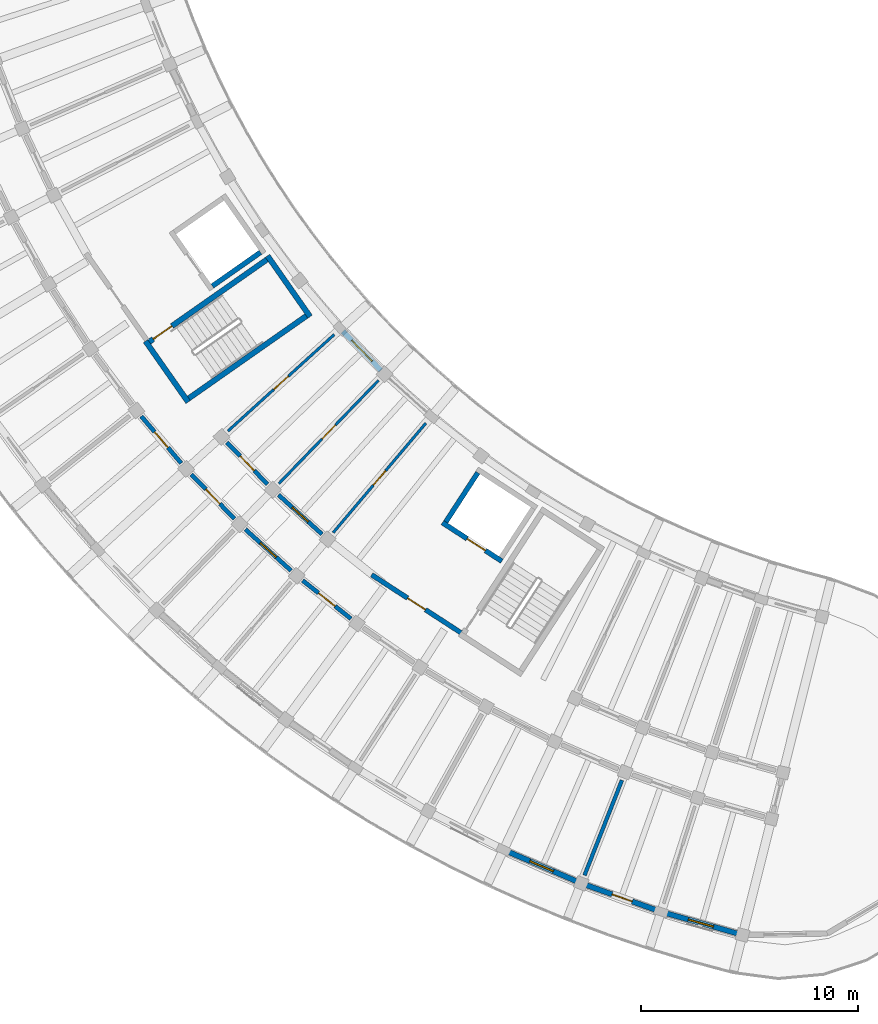
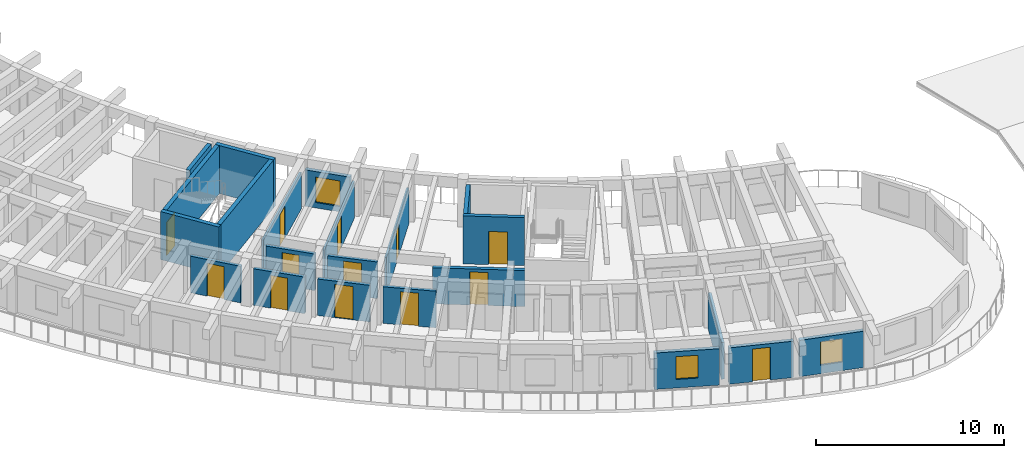
# One storey, part 41 of 81: 22 walls, 13 doors, 3 windows, 16 openings.
"""IFC4 building model written with IfcOpenShell, lengths in metres."""

import ifcopenshell
import ifcopenshell.guid

model = None  # the IFC model being written
_history = None  # IfcOwnerHistory: only IFC2X3 demands one
_inside = {}  # id of a spatial element -> (the spatial element, [elements in it])
_under = {}  # id of a project, library or spatial element -> (it, [spatial elements below it])
_declared = {}  # id of a project -> (the project, [libraries it declares])
_typed = {}  # id of a type object -> (the type object, [elements of that type])
_made_of = {}  # id of a material, layer set ... -> (it, [elements and type objects made of it])


def new_model(schema):
    """Start an empty IFC model of exactly this schema.

    Asked for "IFC4X3", IfcOpenShell would pick the latest addendum, in which some entities
    have other attributes; the version numbers below select the first issue.
    IFC2X3 requires an IfcOwnerHistory on every rooted entity: one is made here for all.
    """
    global model, _history
    if schema == "IFC4X3":
        model = ifcopenshell.file(schema_version=(4, 3, 0, 0))
    else:
        model = ifcopenshell.file(schema=schema)
    _inside.clear()
    _under.clear()
    _declared.clear()
    _typed.clear()
    _made_of.clear()
    _history = None
    if model.schema == "IFC2X3":
        org = make("IfcOrganization", Name="unknown")
        user = make(
            "IfcPersonAndOrganization",
            ThePerson=make("IfcPerson", FamilyName="unknown"),
            TheOrganization=org,
        )
        app = make(
            "IfcApplication",
            ApplicationDeveloper=org,
            Version="unknown",
            ApplicationFullName="unknown",
            ApplicationIdentifier="unknown",
        )
        _history = make(
            "IfcOwnerHistory",
            OwningUser=user,
            OwningApplication=app,
            ChangeAction="ADDED",
            CreationDate=0,
        )
    return model


def make(cls, **values):
    """One entity of the class cls with the attributes given. An attribute that is None is left unset."""
    return model.create_entity(
        cls, **{name: value for name, value in values.items() if value is not None}
    )


def rooted(cls, **values):
    """An entity with a GlobalId (a new one), such as an element, a storey or a relation."""
    return make(cls, GlobalId=ifcopenshell.guid.new(), OwnerHistory=_history, **values)


def si_unit(unit_type, name, prefix=None):
    """IfcSIUnit, for example si_unit("LENGTHUNIT", "METRE", prefix="MILLI")."""
    return make("IfcSIUnit", UnitType=unit_type, Prefix=prefix, Name=name)


def assignment(units):
    """IfcUnitAssignment: the units of a project."""
    return None if units is None else make("IfcUnitAssignment", Units=units)


def point(xyz):
    """IfcCartesianPoint."""
    return None if xyz is None else make("IfcCartesianPoint", Coordinates=xyz)


def direction(xyz):
    """IfcDirection."""
    return None if xyz is None else make("IfcDirection", DirectionRatios=xyz)


def frame(location, z_axis=None, x_axis=None):
    """IfcAxis2Placement3D, a coordinate frame: its origin and axes. An axis left out is left unset."""
    return make(
        "IfcAxis2Placement3D",
        Location=point(location),
        Axis=direction(z_axis),
        RefDirection=direction(x_axis),
    )


def frame_2d(location, x_axis=None):
    """IfcAxis2Placement2D, a coordinate frame in the plane: its origin and x axis."""
    return make(
        "IfcAxis2Placement2D", Location=point(location), RefDirection=direction(x_axis)
    )


def origin():
    """The frame at (0, 0, 0) with its axes left unset."""
    return frame((0.0, 0.0, 0.0))


def place(relative_to, where):
    """IfcLocalPlacement: puts the frame where relative to a parent placement (None: the world)."""
    return make(
        "IfcLocalPlacement", PlacementRelTo=relative_to, RelativePlacement=where
    )


def context(
    kind, dimensions, precision=None, world=None, true_north=None, identifier=None
):
    """IfcGeometricRepresentationContext, for example the 3D "Model" context."""
    return make(
        "IfcGeometricRepresentationContext",
        ContextIdentifier=identifier,
        ContextType=kind,
        CoordinateSpaceDimension=dimensions,
        Precision=precision,
        WorldCoordinateSystem=world,
        TrueNorth=true_north,
    )


def subcontext(parent, identifier, kind, view, scale=None):
    """IfcGeometricRepresentationSubContext, for example "Body" below "Model"."""
    return make(
        "IfcGeometricRepresentationSubContext",
        ContextIdentifier=identifier,
        ContextType=kind,
        ParentContext=parent,
        TargetScale=scale,
        TargetView=view,
    )


def project(units=None, contexts=None):
    """IfcProject with its units and contexts."""
    return rooted(
        "IfcProject",
        Name="project",
        RepresentationContexts=contexts,
        UnitsInContext=assignment(units),
    )


def spatial(cls, under=None, at=None, **own):
    """A site, building, storey or space (cls), placed at a placement, below another one or the project."""
    s = rooted(cls, ObjectPlacement=at, **own)
    if under is not None:
        _under.setdefault(under.id(), (under, []))[1].append(s)
    return s


def profile(cls, at=None, kind="AREA", **sizes):
    """A parametric profile (cls). Its sizes go by their IFC names, for example OverallWidth=200.0."""
    return make(cls, ProfileType=kind, Position=at, **sizes)


def rectangle(**sizes):
    """IfcRectangleProfileDef."""
    return profile("IfcRectangleProfileDef", **sizes)


def extrude(swept, where, along, depth):
    """IfcExtrudedAreaSolid: the profile swept, set in the frame where, extruded along a direction by depth."""
    return make(
        "IfcExtrudedAreaSolid",
        SweptArea=swept,
        Position=where,
        ExtrudedDirection=direction(along),
        Depth=depth,
    )


def shape(context_of_items, identifier, shape_type, items):
    """IfcShapeRepresentation: the items that make up one representation, for example the "Body"."""
    return make(
        "IfcShapeRepresentation",
        ContextOfItems=context_of_items,
        RepresentationIdentifier=identifier,
        RepresentationType=shape_type,
        Items=items,
    )


def material(Name=None, Category=None):
    """IfcMaterial."""
    return make("IfcMaterial", Name=Name, Category=Category)


def layer(
    of_material, thickness, ventilated=None, Name=None, Category=None, Priority=None
):
    """IfcMaterialLayer: one layer of a wall or slab, of a material (None: an air gap)."""
    return make(
        "IfcMaterialLayer",
        Material=of_material,
        LayerThickness=thickness,
        IsVentilated=ventilated,
        Name=Name,
        Category=Category,
        Priority=Priority,
    )


def layer_set(layers, Name=None):
    """IfcMaterialLayerSet."""
    return make("IfcMaterialLayerSet", MaterialLayers=layers, LayerSetName=Name)


def made_of(thing, what):
    """Note that an element or type object is made of a material, layer set ...; save() writes the relation."""
    if what is not None:
        _made_of.setdefault(what.id(), (what, []))[1].append(thing)
    return thing


def type_object(cls, material=None, **own):
    """A type object (cls), such as IfcWallType, which elements share."""
    return made_of(rooted(cls, **own), material)


def element(
    cls,
    number,
    at=None,
    inside=None,
    cuts=None,
    type_object=None,
    material=None,
    context=None,
    identifier="Body",
    shape_type=None,
    held_by="IfcProductDefinitionShape",
    body=None,
    shapes=None,
    **own,
):
    """One element of the class cls, such as IfcWall. Its Tag is "e" and its number.

    at: its placement. inside: the storey or other place that contains it. cuts: it is an
    opening in that element (IfcRelVoidsElement). A single representation is given by context,
    identifier, shape_type and body (its items); several are given by shapes. held_by: the class
    of the entity that holds the representations. save() writes the other relations.
    """
    e = rooted(cls, Tag="e%d" % number, ObjectPlacement=at, **own)
    if body is not None:
        shapes = [shape(context, identifier, shape_type, body)]
    if shapes is not None:
        e.Representation = make(held_by, Representations=shapes)
    if inside is not None:
        _inside.setdefault(inside.id(), (inside, []))[1].append(e)
    if cuts is not None:
        rooted(
            "IfcRelVoidsElement", RelatingBuildingElement=cuts, RelatedOpeningElement=e
        )
    if type_object is not None:
        _typed.setdefault(type_object.id(), (type_object, []))[1].append(e)
    return made_of(e, material)


def fill(opening, filler):
    """IfcRelFillsElement: the door or window that sits in an opening."""
    return rooted(
        "IfcRelFillsElement",
        RelatingOpeningElement=opening,
        RelatedBuildingElement=filler,
    )


def aggregate(whole, parts):
    """IfcRelAggregates: a whole, such as a stair, and the parts it consists of."""
    return rooted("IfcRelAggregates", RelatingObject=whole, RelatedObjects=parts)


def save(model, path):
    """Write the relations noted so far, then the file.

    IfcRelAggregates (storeys below a building ...), IfcRelContainedInSpatialStructure (elements
    in a storey), IfcRelDefinesByType, IfcRelAssociatesMaterial and IfcRelDeclares: one each for
    every whole, place, type object, material and project.
    """
    for whole, parts in _under.values():
        aggregate(whole, parts)
    for where, things in _inside.values():
        rooted(
            "IfcRelContainedInSpatialStructure",
            RelatedElements=things,
            RelatingStructure=where,
        )
    for kind, things in _typed.values():
        rooted("IfcRelDefinesByType", RelatedObjects=things, RelatingType=kind)
    for what, things in _made_of.values():
        rooted("IfcRelAssociatesMaterial", RelatedObjects=things, RelatingMaterial=what)
    for by, libraries in _declared.values():
        rooted("IfcRelDeclares", RelatingContext=by, RelatedDefinitions=libraries)
    model.write(path)


model = new_model("IFC4")

# Units and contexts
model_context = context("Model", 3, precision=1e-05, world=origin(), true_north=direction((0.0, 1.0)))
body_context = subcontext(model_context, "Body", "Model", "MODEL_VIEW")
ifc_project = project(units=[si_unit("LENGTHUNIT", "METRE"), si_unit("AREAUNIT", "SQUARE_METRE"), si_unit("VOLUMEUNIT", "CUBIC_METRE"), si_unit("PLANEANGLEUNIT", "RADIAN"), si_unit("MASSUNIT", "GRAM", prefix="KILO")], contexts=[model_context])

# Site, building, storey
site_placement = place(None, origin())
site = spatial("IfcSite", under=ifc_project, at=site_placement, CompositionType="ELEMENT")
building_placement = place(site_placement, origin())
building = spatial("IfcBuilding", under=site, at=building_placement, Name="Tanwirah Colonnade Gardens", CompositionType="ELEMENT")
storey_placement = place(building_placement, frame((0.0, 0.0, 8.840087890625)))
storey = spatial("IfcBuildingStorey", under=building, at=storey_placement, Name="L02", CompositionType="ELEMENT", Elevation=8.840087890625)

# Wall, opening, window
ifc_material_1 = material(Name="Limestone architectural precast concrete C40/50", Category="masonry")
ifc_layer_1 = layer(ifc_material_1, 0.2451171875)
ifc_layer_set_1 = layer_set([ifc_layer_1], Name="Limestone architectural precast concrete C40/50")
wall_type_1 = type_object("IfcWallType", Name="EW-PC245", PredefinedType="SOLIDWALL", material=ifc_layer_set_1)
wall_1_placement = place(storey_placement, frame((32.208740234375, 34.49853515625, 0.0), z_axis=(0.0, 0.0, 1.0), x_axis=(0.696228228984, -0.717820488121, 0.0)))
wall_1 = element("IfcWall", 1, at=wall_1_placement, inside=storey, type_object=wall_type_1, Name="Block C L02 IN Precast Facade Wall 7", PredefinedType="SOLIDWALL", context=body_context, shape_type="SweptSolid", body=[
    extrude(rectangle(XDim=2.498779296875, YDim=0.2451171875, at=frame_2d((1.24951171875, 0.0))), origin(), (0.0, 0.0, 1.0), 2.35498046875),
])
opening_1_placement = place(wall_1_placement, frame((0.574462890625, 0.0, 0.35009765625)))
opening_1 = element("IfcOpeningElement", 2, at=opening_1_placement, cuts=wall_1, Name="Opening WIN-T05", PredefinedType="OPENING", context=body_context, shape_type="SweptSolid", body=[
    extrude(rectangle(XDim=1.35009765625, YDim=1.64990234375, at=frame_2d((0.675048828125, 0.824951171875))), frame((0.0, 0.132568359375, 0.0), z_axis=(0.0, -1.0, 0.0), x_axis=(1.0, 0.0, 0.0)), (0.0, 0.0, 1.0), 0.26513671875),
])
ifc_material_2 = material(Name="Thermally broken bronze aluminium and solar low-E double glazing", Category="aluminium")
window_type_1 = type_object("IfcWindowType", Name="WIN-T05", PartitioningType="DOUBLE_PANEL_VERTICAL", PredefinedType="WINDOW", material=ifc_material_2)
window_1_placement = place(opening_1_placement, origin())
window_1 = element("IfcWindow", 3, at=window_1_placement, inside=storey, type_object=window_type_1, Name="Facade window C-L02-IN-07", OverallHeight=1.64990234375, OverallWidth=1.35009765625, PartitioningType="SINGLE_PANEL", PredefinedType="WINDOW", context=body_context, shape_type="SweptSolid", body=[
    extrude(rectangle(XDim=1.35009765625, YDim=1.64990234375, at=frame_2d((0.675048828125, 0.824951171875))), frame((0.0, 0.030029296875, 0.0), z_axis=(0.0, -1.0, 0.0), x_axis=(1.0, 0.0, 0.0)), (0.0, 0.0, 1.0), 0.06005859375),
])
fill(opening_1, window_1)

wall_2_placement = place(storey_placement, frame((39.74462890625, 10.576171875, 0.0), z_axis=(0.0, 0.0, 1.0), x_axis=(0.917938367037, -0.396723019652, 0.0)))
wall_2 = element("IfcWall", 4, at=wall_2_placement, inside=storey, type_object=wall_type_1, Name="Block C L02 OUT Precast Facade Wall 13", PredefinedType="SOLIDWALL", context=body_context, shape_type="SweptSolid", body=[
    extrude(rectangle(XDim=3.48681640625, YDim=0.2451171875, at=frame_2d((1.743408203125, 0.0))), origin(), (0.0, 0.0, 1.0), 2.35498046875),
])
opening_2_placement = place(wall_2_placement, frame((1.1533203125, 0.0, 0.550048828125)))
opening_2 = element("IfcOpeningElement", 5, at=opening_2_placement, cuts=wall_2, Name="Opening WIN-T16", PredefinedType="OPENING", context=body_context, shape_type="SweptSolid", body=[
    extrude(rectangle(XDim=1.179931640625, YDim=1.47998046875, at=frame_2d((0.58984375, 0.739990234375))), frame((0.0, 0.132568359375, 0.0), z_axis=(0.0, -1.0, 0.0), x_axis=(1.0, 0.0, 0.0)), (0.0, 0.0, 1.0), 0.26513671875),
])
window_type_2 = type_object("IfcWindowType", Name="WIN-T16", PartitioningType="SINGLE_PANEL", PredefinedType="WINDOW", material=ifc_material_2)
window_2_placement = place(opening_2_placement, origin())
window_2 = element("IfcWindow", 6, at=window_2_placement, inside=storey, type_object=window_type_2, Name="Facade window C-L02-OUT-13", OverallHeight=1.47998046875, OverallWidth=1.179931640625, PartitioningType="SINGLE_PANEL", PredefinedType="WINDOW", context=body_context, shape_type="SweptSolid", body=[
    extrude(rectangle(XDim=1.179931640625, YDim=1.47998046875, at=frame_2d((0.58984375, 0.739990234375))), frame((0.0, 0.030029296875, 0.0), z_axis=(0.0, -1.0, 0.0), x_axis=(1.0, 0.0, 0.0)), (0.0, 0.0, 1.0), 0.06005859375),
])
fill(opening_2, window_2)

# Wall, opening, door
wall_3_placement = place(storey_placement, frame((43.410400390625, 9.009765625, 0.0), z_axis=(0.0, 0.0, 1.0), x_axis=(0.941903386561, -0.335883923976, 0.0)))
wall_3 = element("IfcWall", 7, at=wall_3_placement, inside=storey, type_object=wall_type_1, Name="Block C L02 OUT Precast Facade Wall 14", PredefinedType="SOLIDWALL", context=body_context, shape_type="SweptSolid", body=[
    extrude(rectangle(XDim=3.48681640625, YDim=0.2451171875, at=frame_2d((1.743408203125, 0.0))), origin(), (0.0, 0.0, 1.0), 2.35498046875),
])
opening_3_placement = place(wall_3_placement, frame((1.25341796875, 0.0, 0.0)))
opening_3 = element("IfcOpeningElement", 8, at=opening_3_placement, cuts=wall_3, Name="Opening L02-ED136", PredefinedType="OPENING", context=body_context, shape_type="SweptSolid", body=[
    extrude(rectangle(XDim=0.97998046875, YDim=2.1201171875, at=frame_2d((0.489990234375, 1.06005859375))), frame((0.0, 0.132568359375, 0.0), z_axis=(0.0, -1.0, 0.0), x_axis=(1.0, 0.0, 0.0)), (0.0, 0.0, 1.0), 0.26513671875),
])
ifc_material_3 = material(Name="Bronze aluminium glazed balcony door", Category="aluminium")
door_type_1 = type_object("IfcDoorType", Name="ED-BAL098", OperationType="NOTDEFINED", PredefinedType="DOOR", material=ifc_material_3)
door_1_placement = place(opening_3_placement, origin())
door_1 = element("IfcDoor", 9, at=door_1_placement, inside=storey, type_object=door_type_1, Name="Balcony glazed door L02-ED136", OperationType="SINGLE_SWING_LEFT", OverallHeight=2.1201171875, OverallWidth=0.97998046875, PredefinedType="DOOR", context=body_context, shape_type="SweptSolid", body=[
    extrude(rectangle(XDim=0.97998046875, YDim=2.1201171875, at=frame_2d((0.489990234375, 1.06005859375))), frame((0.0, 0.02490234375, 0.0), z_axis=(0.0, -1.0, 0.0), x_axis=(1.0, 0.0, 0.0)), (0.0, 0.0, 1.0), 0.050048828125),
])
fill(opening_3, door_1)

# Wall, opening, window
wall_4_placement = place(storey_placement, frame((46.999267578125, 7.740966796875, 0.0), z_axis=(0.0, 0.0, 1.0), x_axis=(0.961871954212, -0.2735001713, 0.0)))
wall_4 = element("IfcWall", 10, at=wall_4_placement, inside=storey, type_object=wall_type_1, Name="Block C L02 OUT Precast Facade Wall 15", PredefinedType="SOLIDWALL", context=body_context, shape_type="SweptSolid", body=[
    extrude(rectangle(XDim=3.48681640625, YDim=0.2451171875, at=frame_2d((1.743408203125, 0.0))), origin(), (0.0, 0.0, 1.0), 2.35498046875),
])
opening_4_placement = place(wall_4_placement, frame((1.143310546875, 0.0, 0.550048828125)))
opening_4 = element("IfcOpeningElement", 11, at=opening_4_placement, cuts=wall_4, Name="Opening WIN-U02", PredefinedType="OPENING", context=body_context, shape_type="SweptSolid", body=[
    extrude(rectangle(XDim=1.199951171875, YDim=1.510009765625, at=frame_2d((0.60009765625, 0.7548828125))), frame((0.0, 0.132568359375, 0.0), z_axis=(0.0, -1.0, 0.0), x_axis=(1.0, 0.0, 0.0)), (0.0, 0.0, 1.0), 0.26513671875),
])
window_type_3 = type_object("IfcWindowType", Name="WIN-U02", PartitioningType="DOUBLE_PANEL_VERTICAL", PredefinedType="WINDOW", material=ifc_material_2)
window_3_placement = place(opening_4_placement, origin())
window_3 = element("IfcWindow", 12, at=window_3_placement, inside=storey, type_object=window_type_3, Name="Facade window C-L02-OUT-15", OverallHeight=1.510009765625, OverallWidth=1.199951171875, PartitioningType="SINGLE_PANEL", PredefinedType="WINDOW", context=body_context, shape_type="SweptSolid", body=[
    extrude(rectangle(XDim=1.199951171875, YDim=1.510009765625, at=frame_2d((0.60009765625, 0.7548828125))), frame((0.0, 0.030029296875, 0.0), z_axis=(0.0, -1.0, 0.0), x_axis=(1.0, 0.0, 0.0)), (0.0, 0.0, 1.0), 0.06005859375),
])
fill(opening_4, window_3)

# Wall, opening, door
ifc_material_4 = material(Name="Precast concrete C40/50", Category="concrete")
ifc_layer_2 = layer(ifc_material_4, 0.195068359375)
ifc_layer_set_2 = layer_set([ifc_layer_2], Name="Precast concrete C40/50")
wall_type_2 = type_object("IfcWallType", Name="IW-CORR195", PredefinedType="PARTITIONING", material=ifc_layer_set_2)
wall_5_placement = place(storey_placement, frame((22.9267578125, 30.58642578125, 0.0), z_axis=(0.0, 0.0, 1.0), x_axis=(0.64778830669, -0.761820392032, 0.0)))
wall_5 = element("IfcWall", 13, at=wall_5_placement, inside=storey, type_object=wall_type_2, Name="Block C L02 OUT Corridor Wall 6", PredefinedType="PARTITIONING", context=body_context, shape_type="SweptSolid", body=[
    extrude(rectangle(XDim=2.8369140625, YDim=0.195068359375, at=frame_2d((1.41845703125, 0.0))), origin(), (0.0, 0.0, 1.0), 2.369873046875),
])
opening_5_placement = place(wall_5_placement, frame((0.943603515625, 0.0, 0.0)))
opening_5 = element("IfcOpeningElement", 14, at=opening_5_placement, cuts=wall_5, Name="Opening L02-AD1366", PredefinedType="OPENING", context=body_context, shape_type="SweptSolid", body=[
    extrude(rectangle(XDim=0.949951171875, YDim=2.1298828125, at=frame_2d((0.47509765625, 1.06494140625))), frame((0.0, 0.107421875, 0.0), z_axis=(0.0, -1.0, 0.0), x_axis=(1.0, 0.0, 0.0)), (0.0, 0.0, 1.0), 0.215087890625),
])
ifc_material_5 = material(Name="Solid oak fire-resisting apartment entrance door")
door_type_2 = type_object("IfcDoorType", Name="ID-FLT095", OperationType="NOTDEFINED", PredefinedType="DOOR", material=ifc_material_5)
door_2_placement = place(opening_5_placement, origin())
door_2 = element("IfcDoor", 15, at=door_2_placement, inside=storey, type_object=door_type_2, Name="Apartment corridor door L02-AD1366", OperationType="SINGLE_SWING_LEFT", OverallHeight=2.1298828125, OverallWidth=0.949951171875, PredefinedType="DOOR", context=body_context, shape_type="SweptSolid", body=[
    extrude(rectangle(XDim=0.949951171875, YDim=2.1298828125, at=frame_2d((0.47509765625, 1.06494140625))), frame((0.0, 0.02490234375, 0.0), z_axis=(0.0, -1.0, 0.0), x_axis=(1.0, 0.0, 0.0)), (0.0, 0.0, 1.0), 0.050048828125),
])
fill(opening_5, door_2)

wall_6_placement = place(storey_placement, frame((25.23486328125, 27.9072265625, 0.0), z_axis=(0.0, 0.0, 1.0), x_axis=(0.696223786753, -0.717824796701, 0.0)))
wall_6 = element("IfcWall", 16, at=wall_6_placement, inside=storey, type_object=wall_type_2, Name="Block C L02 OUT Corridor Wall 7", PredefinedType="PARTITIONING", context=body_context, shape_type="SweptSolid", body=[
    extrude(rectangle(XDim=2.8369140625, YDim=0.195068359375, at=frame_2d((1.41845703125, 0.0))), origin(), (0.0, 0.0, 1.0), 2.369873046875),
])
opening_6_placement = place(wall_6_placement, frame((0.95361328125, 0.0, 0.0)))
opening_6 = element("IfcOpeningElement", 17, at=opening_6_placement, cuts=wall_6, Name="Opening L02-AD1368", PredefinedType="OPENING", context=body_context, shape_type="SweptSolid", body=[
    extrude(rectangle(XDim=0.929931640625, YDim=2.1201171875, at=frame_2d((0.46484375, 1.06005859375))), frame((0.0, 0.107421875, 0.0), z_axis=(0.0, -1.0, 0.0), x_axis=(1.0, 0.0, 0.0)), (0.0, 0.0, 1.0), 0.215087890625),
])
door_type_3 = type_object("IfcDoorType", Name="ID-FLT093", OperationType="NOTDEFINED", PredefinedType="DOOR", material=ifc_material_5)
door_3_placement = place(opening_6_placement, origin())
door_3 = element("IfcDoor", 18, at=door_3_placement, inside=storey, type_object=door_type_3, Name="Apartment corridor door L02-AD1368", OperationType="SINGLE_SWING_RIGHT", OverallHeight=2.1201171875, OverallWidth=0.929931640625, PredefinedType="DOOR", context=body_context, shape_type="SweptSolid", body=[
    extrude(rectangle(XDim=0.929931640625, YDim=2.1201171875, at=frame_2d((0.46484375, 1.06005859375))), frame((0.0, 0.02490234375, 0.0), z_axis=(0.0, -1.0, 0.0), x_axis=(1.0, 0.0, 0.0)), (0.0, 0.0, 1.0), 0.050048828125),
])
fill(opening_6, door_3)

wall_7_placement = place(storey_placement, frame((26.86328125, 29.386474609375, 0.0), z_axis=(0.0, 0.0, 1.0), x_axis=(0.696236443412, -0.717812520694, 0.0)))
wall_7 = element("IfcWall", 19, at=wall_7_placement, inside=storey, type_object=wall_type_2, Name="Block C L02 IN Corridor Wall 7", PredefinedType="PARTITIONING", context=body_context, shape_type="SweptSolid", body=[
    extrude(rectangle(XDim=2.693115234375, YDim=0.195068359375, at=frame_2d((1.3466796875, 0.0))), origin(), (0.0, 0.0, 1.0), 2.369873046875),
])
opening_7_placement = place(wall_7_placement, frame((0.881591796875, 0.0, 0.0)))
opening_7 = element("IfcOpeningElement", 20, at=opening_7_placement, cuts=wall_7, Name="Opening L02-AD1369", PredefinedType="OPENING", context=body_context, shape_type="SweptSolid", body=[
    extrude(rectangle(XDim=0.929931640625, YDim=2.1201171875, at=frame_2d((0.46484375, 1.06005859375))), frame((0.0, 0.107421875, 0.0), z_axis=(0.0, -1.0, 0.0), x_axis=(1.0, 0.0, 0.0)), (0.0, 0.0, 1.0), 0.215087890625),
])
door_4_placement = place(opening_7_placement, origin())
door_4 = element("IfcDoor", 21, at=door_4_placement, inside=storey, type_object=door_type_3, Name="Apartment corridor door L02-AD1369", OperationType="SINGLE_SWING_LEFT", OverallHeight=2.1201171875, OverallWidth=0.929931640625, PredefinedType="DOOR", context=body_context, shape_type="SweptSolid", body=[
    extrude(rectangle(XDim=0.929931640625, YDim=2.1201171875, at=frame_2d((0.46484375, 1.06005859375))), frame((0.0, 0.02490234375, 0.0), z_axis=(0.0, -1.0, 0.0), x_axis=(1.0, 0.0, 0.0)), (0.0, 0.0, 1.0), 0.050048828125),
])
fill(opening_7, door_4)

wall_8_placement = place(storey_placement, frame((27.71337890625, 25.385009765625, 0.0), z_axis=(0.0, 0.0, 1.0), x_axis=(0.741631592147, -0.670807410163, 0.0)))
wall_8 = element("IfcWall", 22, at=wall_8_placement, inside=storey, type_object=wall_type_2, Name="Block C L02 OUT Corridor Wall 8", PredefinedType="PARTITIONING", context=body_context, shape_type="SweptSolid", body=[
    extrude(rectangle(XDim=2.8369140625, YDim=0.195068359375, at=frame_2d((1.41845703125, 0.0))), origin(), (0.0, 0.0, 1.0), 2.369873046875),
])
opening_8_placement = place(wall_8_placement, frame((0.923583984375, 0.0, 0.0)))
opening_8 = element("IfcOpeningElement", 23, at=opening_8_placement, cuts=wall_8, Name="Opening L02-AD1371", PredefinedType="OPENING", context=body_context, shape_type="SweptSolid", body=[
    extrude(rectangle(XDim=0.989990234375, YDim=2.159912109375, at=frame_2d((0.4951171875, 1.080078125))), frame((0.0, 0.107421875, 0.0), z_axis=(0.0, -1.0, 0.0), x_axis=(1.0, 0.0, 0.0)), (0.0, 0.0, 1.0), 0.215087890625),
])
door_type_4 = type_object("IfcDoorType", Name="ID-FLT099", OperationType="NOTDEFINED", PredefinedType="DOOR", material=ifc_material_5)
door_5_placement = place(opening_8_placement, origin())
door_5 = element("IfcDoor", 24, at=door_5_placement, inside=storey, type_object=door_type_4, Name="Apartment corridor door L02-AD1371", OperationType="SINGLE_SWING_LEFT", OverallHeight=2.159912109375, OverallWidth=0.989990234375, PredefinedType="DOOR", context=body_context, shape_type="SweptSolid", body=[
    extrude(rectangle(XDim=0.989990234375, YDim=2.159912109375, at=frame_2d((0.4951171875, 1.080078125))), frame((0.0, 0.02490234375, 0.0), z_axis=(0.0, -1.0, 0.0), x_axis=(1.0, 0.0, 0.0)), (0.0, 0.0, 1.0), 0.050048828125),
])
fill(opening_8, door_5)

wall_9_placement = place(storey_placement, frame((29.241455078125, 26.967529296875, 0.0), z_axis=(0.0, 0.0, 1.0), x_axis=(0.74166462946, -0.670770882945, 0.0)))
wall_9 = element("IfcWall", 25, at=wall_9_placement, inside=storey, type_object=wall_type_2, Name="Block C L02 IN Corridor Wall 8", PredefinedType="PARTITIONING", context=body_context, shape_type="SweptSolid", body=[
    extrude(rectangle(XDim=2.693115234375, YDim=0.195068359375, at=frame_2d((1.3466796875, 0.0))), origin(), (0.0, 0.0, 1.0), 2.369873046875),
])
opening_9_placement = place(wall_9_placement, frame((0.8515625, 0.0, 0.0)))
opening_9 = element("IfcOpeningElement", 26, at=opening_9_placement, cuts=wall_9, Name="Opening L02-AD1372", PredefinedType="OPENING", context=body_context, shape_type="SweptSolid", body=[
    extrude(rectangle(XDim=0.989990234375, YDim=2.159912109375, at=frame_2d((0.4951171875, 1.080078125))), frame((0.0, 0.107421875, 0.0), z_axis=(0.0, -1.0, 0.0), x_axis=(1.0, 0.0, 0.0)), (0.0, 0.0, 1.0), 0.215087890625),
])
door_6_placement = place(opening_9_placement, origin())
door_6 = element("IfcDoor", 27, at=door_6_placement, inside=storey, type_object=door_type_4, Name="Apartment corridor door L02-AD1372", OperationType="SINGLE_SWING_RIGHT", OverallHeight=2.159912109375, OverallWidth=0.989990234375, PredefinedType="DOOR", context=body_context, shape_type="SweptSolid", body=[
    extrude(rectangle(XDim=0.989990234375, YDim=2.159912109375, at=frame_2d((0.4951171875, 1.080078125))), frame((0.0, 0.02490234375, 0.0), z_axis=(0.0, -1.0, 0.0), x_axis=(1.0, 0.0, 0.0)), (0.0, 0.0, 1.0), 0.050048828125),
])
fill(opening_9, door_6)

wall_10_placement = place(storey_placement, frame((30.351318359375, 23.030029296875, 0.0), z_axis=(0.0, 0.0, 1.0), x_axis=(0.783965548427, -0.620804332201, 0.0)))
wall_10 = element("IfcWall", 28, at=wall_10_placement, inside=storey, type_object=wall_type_2, Name="Block C L02 OUT Corridor Wall 9", PredefinedType="PARTITIONING", context=body_context, shape_type="SweptSolid", body=[
    extrude(rectangle(XDim=2.8369140625, YDim=0.195068359375, at=frame_2d((1.41845703125, 0.0))), origin(), (0.0, 0.0, 1.0), 2.369873046875),
])
opening_10_placement = place(wall_10_placement, frame((0.93359375, 0.0, 0.0)))
opening_10 = element("IfcOpeningElement", 29, at=opening_10_placement, cuts=wall_10, Name="Opening L02-AD1375", PredefinedType="OPENING", context=body_context, shape_type="SweptSolid", body=[
    extrude(rectangle(XDim=0.969970703125, YDim=2.14990234375, at=frame_2d((0.48486328125, 1.074951171875))), frame((0.0, 0.107421875, 0.0), z_axis=(0.0, -1.0, 0.0), x_axis=(1.0, 0.0, 0.0)), (0.0, 0.0, 1.0), 0.215087890625),
])
door_type_5 = type_object("IfcDoorType", Name="ID-FLT097", OperationType="NOTDEFINED", PredefinedType="DOOR", material=ifc_material_5)
door_7_placement = place(opening_10_placement, origin())
door_7 = element("IfcDoor", 30, at=door_7_placement, inside=storey, type_object=door_type_5, Name="Apartment corridor door L02-AD1375", OperationType="SINGLE_SWING_RIGHT", OverallHeight=2.14990234375, OverallWidth=0.969970703125, PredefinedType="DOOR", context=body_context, shape_type="SweptSolid", body=[
    extrude(rectangle(XDim=0.969970703125, YDim=2.14990234375, at=frame_2d((0.48486328125, 1.074951171875))), frame((0.0, 0.02490234375, 0.0), z_axis=(0.0, -1.0, 0.0), x_axis=(1.0, 0.0, 0.0)), (0.0, 0.0, 1.0), 0.050048828125),
])
fill(opening_10, door_7)

# Wall
ifc_layer_3 = layer(ifc_material_4, 0.175048828125)
ifc_layer_set_3 = layer_set([ifc_layer_3], Name="Precast concrete C40/50")
wall_type_3 = type_object("IfcWallType", Name="IW-DEM175", PredefinedType="PARTITIONING", material=ifc_layer_set_3)
wall_11_placement = place(storey_placement, frame((45.0439453125, 13.8388671875, 0.0), z_axis=(0.0, 0.0, 1.0), x_axis=(-0.366468650514, -0.930430399434, 0.0)))
element("IfcWall", 31, at=wall_11_placement, inside=storey, type_object=wall_type_3, Name="Block C L02 Radial Partition 13", PredefinedType="PARTITIONING", context=body_context, shape_type="SweptSolid", body=[
    extrude(rectangle(XDim=4.699951171875, YDim=0.175048828125, at=frame_2d((2.35009765625, 0.0))), origin(), (0.0, 0.0, 1.0), 2.369873046875),
])

# Wall, opening, door
ifc_material_6 = material(Name="Autoclaved aerated masonry blockwork", Category="masonry")
ifc_layer_4 = layer(ifc_material_6, 0.219970703125)
ifc_layer_set_4 = layer_set([ifc_layer_4], Name="Autoclaved aerated masonry blockwork")
wall_type_4 = type_object("IfcWallType", Name="IW-FFL220", PredefinedType="PARTITIONING", material=ifc_layer_set_4)
wall_12_placement = place(storey_placement, frame((37.638916015625, 20.623291015625, 0.0), z_axis=(0.0, 0.0, 1.0), x_axis=(-0.838681446513, 0.544622283124, 0.0)))
wall_12 = element("IfcWall", 32, at=wall_12_placement, inside=storey, type_object=wall_type_4, Name="CORE-C2 L02 Enclosed Lobby Fire Wall", PredefinedType="PARTITIONING", context=body_context, shape_type="SweptSolid", body=[
    extrude(rectangle(XDim=4.900146484375, YDim=0.219970703125, at=frame_2d((2.4501953125, 0.0))), origin(), (0.0, 0.0, 1.0), 2.33984375),
])
opening_11_placement = place(wall_12_placement, frame((1.949951171875, 0.0, 0.0)))
opening_11 = element("IfcOpeningElement", 33, at=opening_11_placement, cuts=wall_12, Name="Opening L02-LD160", PredefinedType="OPENING", context=body_context, shape_type="SweptSolid", body=[
    extrude(rectangle(XDim=0.97998046875, YDim=2.139892578125, at=frame_2d((0.489990234375, 1.06982421875))), frame((0.0, 0.119873046875, 0.0), z_axis=(0.0, -1.0, 0.0), x_axis=(1.0, 0.0, 0.0)), (0.0, 0.0, 1.0), 0.239990234375),
])
ifc_material_7 = material(Name="Acoustic fire-resisting lobby door")
door_type_6 = type_object("IfcDoorType", Name="ID-FFL098", OperationType="NOTDEFINED", PredefinedType="DOOR", material=ifc_material_7)
door_8_placement = place(opening_11_placement, origin())
door_8 = element("IfcDoor", 34, at=door_8_placement, inside=storey, type_object=door_type_6, Name="CORE-C2 L02 Lobby Fire Door L02-LD160", OperationType="SINGLE_SWING_LEFT", OverallHeight=2.139892578125, OverallWidth=0.97998046875, PredefinedType="DOOR", context=body_context, shape_type="SweptSolid", body=[
    extrude(rectangle(XDim=0.97998046875, YDim=2.139892578125, at=frame_2d((0.489990234375, 1.06982421875))), frame((0.0, 0.02490234375, 0.0), z_axis=(0.0, -1.0, 0.0), x_axis=(1.0, 0.0, 0.0)), (0.0, 0.0, 1.0), 0.050048828125),
])
fill(opening_11, door_8)

ifc_material_8 = material(Name="Moisture-resistant gypsum stud partition")
ifc_layer_5 = layer(ifc_material_8, 0.125)
ifc_layer_set_5 = layer_set([ifc_layer_5], Name="Moisture-resistant gypsum stud partition")
wall_type_5 = type_object("IfcWallType", Name="IW-INT125", PredefinedType="PARTITIONING", material=ifc_layer_set_5)
wall_13_placement = place(storey_placement, frame((31.80126953125, 34.34423828125, 0.0), z_axis=(0.0, 0.0, 1.0), x_axis=(-0.74023124711, -0.672352363573, 0.0)))
wall_13 = element("IfcWall", 35, at=wall_13_placement, inside=storey, type_object=wall_type_5, Name="Block C L02 Inner Radial Partition 6", PredefinedType="PARTITIONING", context=body_context, shape_type="SweptSolid", body=[
    extrude(rectangle(XDim=6.599853515625, YDim=0.125, at=frame_2d((3.2998046875, 0.0))), origin(), (0.0, 0.0, 1.0), 2.369873046875),
])
opening_12_placement = place(wall_13_placement, frame((2.844970703125, 0.0, 0.0)))
opening_12 = element("IfcOpeningElement", 36, at=opening_12_placement, cuts=wall_13, Name="Opening L02-RD1367", PredefinedType="OPENING", context=body_context, shape_type="SweptSolid", body=[
    extrude(rectangle(XDim=0.909912109375, YDim=2.10009765625, at=frame_2d((0.455078125, 1.050048828125))), frame((0.0, 0.072509765625, 0.0), z_axis=(0.0, -1.0, 0.0), x_axis=(1.0, 0.0, 0.0)), (0.0, 0.0, 1.0), 0.14501953125),
])
ifc_material_9 = material(Name="Painted hardwood internal room door", Category="wood")
door_type_7 = type_object("IfcDoorType", Name="ID-RM091", OperationType="NOTDEFINED", PredefinedType="DOOR", material=ifc_material_9)
door_9_placement = place(opening_12_placement, origin())
door_9 = element("IfcDoor", 37, at=door_9_placement, inside=storey, type_object=door_type_7, Name="Internal apartment door L02-RD1367", OperationType="SINGLE_SWING_RIGHT", OverallHeight=2.10009765625, OverallWidth=0.909912109375, PredefinedType="DOOR", context=body_context, shape_type="SweptSolid", body=[
    extrude(rectangle(XDim=0.909912109375, YDim=2.10009765625, at=frame_2d((0.455078125, 1.050048828125))), frame((0.0, 0.02490234375, 0.0), z_axis=(0.0, -1.0, 0.0), x_axis=(1.0, 0.0, 0.0)), (0.0, 0.0, 1.0), 0.050048828125),
])
fill(opening_12, door_9)

wall_14_placement = place(storey_placement, frame((33.844482421875, 32.237548828125, 0.0), z_axis=(0.0, 0.0, 1.0), x_axis=(-0.69466250658, -0.71933580611, 0.0)))
wall_14 = element("IfcWall", 38, at=wall_14_placement, inside=storey, type_object=wall_type_5, Name="Block C L02 Inner Radial Partition 7", PredefinedType="PARTITIONING", context=body_context, shape_type="SweptSolid", body=[
    extrude(rectangle(XDim=6.599853515625, YDim=0.125, at=frame_2d((3.2998046875, 0.0))), origin(), (0.0, 0.0, 1.0), 2.369873046875),
])
opening_13_placement = place(wall_14_placement, frame((2.85498046875, 0.0, 0.0)))
opening_13 = element("IfcOpeningElement", 39, at=opening_13_placement, cuts=wall_14, Name="Opening L02-RD1370", PredefinedType="OPENING", context=body_context, shape_type="SweptSolid", body=[
    extrude(rectangle(XDim=0.889892578125, YDim=2.10009765625, at=frame_2d((0.44482421875, 1.050048828125))), frame((0.0, 0.072509765625, 0.0), z_axis=(0.0, -1.0, 0.0), x_axis=(1.0, 0.0, 0.0)), (0.0, 0.0, 1.0), 0.14501953125),
])
ifc_material_10 = material(Name="Painted hardwood bedroom door", Category="wood")
door_type_8 = type_object("IfcDoorType", Name="ID-RM089", OperationType="NOTDEFINED", PredefinedType="DOOR", material=ifc_material_10)
door_10_placement = place(opening_13_placement, origin())
door_10 = element("IfcDoor", 40, at=door_10_placement, inside=storey, type_object=door_type_8, Name="Internal apartment door L02-RD1370", OperationType="SINGLE_SWING_LEFT", OverallHeight=2.10009765625, OverallWidth=0.889892578125, PredefinedType="DOOR", context=body_context, shape_type="SweptSolid", body=[
    extrude(rectangle(XDim=0.889892578125, YDim=2.10009765625, at=frame_2d((0.44482421875, 1.050048828125))), frame((0.0, 0.02490234375, 0.0), z_axis=(0.0, -1.0, 0.0), x_axis=(1.0, 0.0, 0.0)), (0.0, 0.0, 1.0), 0.050048828125),
])
fill(opening_13, door_10)

wall_15_placement = place(storey_placement, frame((36.021240234375, 30.26904296875, 0.0), z_axis=(0.0, 0.0, 1.0), x_axis=(-0.646121311019, -0.763234728932, 0.0)))
wall_15 = element("IfcWall", 41, at=wall_15_placement, inside=storey, type_object=wall_type_5, Name="Block C L02 Inner Radial Partition 8", PredefinedType="PARTITIONING", context=body_context, shape_type="SweptSolid", body=[
    extrude(rectangle(XDim=6.60009765625, YDim=0.125, at=frame_2d((3.300048828125, 0.0))), origin(), (0.0, 0.0, 1.0), 2.369873046875),
])
opening_14_placement = place(wall_15_placement, frame((2.864990234375, 0.0, 0.0)))
opening_14 = element("IfcOpeningElement", 42, at=opening_14_placement, cuts=wall_15, Name="Opening L02-RD1374", PredefinedType="OPENING", context=body_context, shape_type="SweptSolid", body=[
    extrude(rectangle(XDim=0.8701171875, YDim=2.080078125, at=frame_2d((0.43505859375, 1.0400390625))), frame((0.0, 0.072509765625, 0.0), z_axis=(0.0, -1.0, 0.0), x_axis=(1.0, 0.0, 0.0)), (0.0, 0.0, 1.0), 0.14501953125),
])
ifc_material_11 = material(Name="Painted hardwood study door", Category="wood")
door_type_9 = type_object("IfcDoorType", Name="ID-RM087", OperationType="NOTDEFINED", PredefinedType="DOOR", material=ifc_material_11)
door_11_placement = place(opening_14_placement, origin())
door_11 = element("IfcDoor", 43, at=door_11_placement, inside=storey, type_object=door_type_9, Name="Internal apartment door L02-RD1374", OperationType="SINGLE_SWING_RIGHT", OverallHeight=2.080078125, OverallWidth=0.8701171875, PredefinedType="DOOR", context=body_context, shape_type="SweptSolid", body=[
    extrude(rectangle(XDim=0.8701171875, YDim=2.080078125, at=frame_2d((0.43505859375, 1.0400390625))), frame((0.0, 0.02490234375, 0.0), z_axis=(0.0, -1.0, 0.0), x_axis=(1.0, 0.0, 0.0)), (0.0, 0.0, 1.0), 0.050048828125),
])
fill(opening_14, door_11)

# Walls
ifc_material_12 = material(Name="Concrete C45/55", Category="concrete")
ifc_layer_6 = layer(ifc_material_12, 0.25)
ifc_layer_set_6 = layer_set([ifc_layer_6], Name="Concrete C45/55")
wall_type_6 = type_object("IfcWallType", Name="SW-CORE250", PredefinedType="SHEAR", material=ifc_layer_set_6)
wall_16_placement = place(storey_placement, frame((25.1142578125, 31.413818359375, 0.0), z_axis=(0.0, 0.0, 1.0), x_axis=(0.819141541656, 0.573591435374, 0.0)))
element("IfcWall", 44, at=wall_16_placement, inside=storey, type_object=wall_type_6, Name="CORE-C1 L02 Stair Shaft Shear Wall LEFT", PredefinedType="SHEAR", context=body_context, shape_type="SweptSolid", body=[
    extrude(rectangle(XDim=6.599853515625, YDim=0.25, at=frame_2d((3.2998046875, 0.0))), origin(), (0.0, 0.0, 1.0), 3.10986328125),
])
for number, where, z_axis, x_axis, name in (
    (45, (30.694580078125, 35.168701171875, 0.0), (0.0, 0.0, 1.0), (-0.573582112484, 0.819148069789, 0.0), "CORE-C1 L02 Stair Shaft Shear Wall FAR"),
    (46, (25.08349609375, 31.23974609375, 0.0), (0.0, 0.0, 1.0), (-0.573582112484, 0.819148069789, 0.0), "CORE-C1 L02 Stair Shaft Shear Wall NEAR"),
):
    element("IfcWall", number, at=place(storey_placement, frame(where, z_axis=z_axis, x_axis=x_axis)), inside=storey, type_object=wall_type_6, Name=name, PredefinedType="SHEAR", context=body_context, shape_type="SweptSolid", body=[
        extrude(rectangle(XDim=3.419921875, YDim=0.25, at=frame_2d((1.7099609375, 0.0))), origin(), (0.0, 0.0, 1.0), 3.10986328125),
    ])

# Wall, opening, door
wall_17_placement = place(storey_placement, frame((23.2958984375, 34.010498046875, 0.0), z_axis=(0.0, 0.0, 1.0), x_axis=(0.819153711596, 0.573574055182, 0.0)))
wall_17 = element("IfcWall", 47, at=wall_17_placement, inside=storey, type_object=wall_type_6, Name="CORE-C1 L02 Stair Shaft Shear Wall RIGHT", PredefinedType="SHEAR", context=body_context, shape_type="SweptSolid", body=[
    extrude(rectangle(XDim=6.60009765625, YDim=0.25, at=frame_2d((3.300048828125, 0.0))), origin(), (0.0, 0.0, 1.0), 3.10986328125),
])
opening_15_placement = place(wall_17_placement, frame((0.219970703125, 0.0, 0.0)))
opening_15 = element("IfcOpeningElement", 48, at=opening_15_placement, cuts=wall_17, Name="Opening L02-SD124", PredefinedType="OPENING", context=body_context, shape_type="SweptSolid", body=[
    extrude(rectangle(XDim=1.050048828125, YDim=2.14990234375, at=frame_2d((0.52490234375, 1.074951171875))), frame((0.0, 0.135009765625, 0.0), z_axis=(0.0, -1.0, 0.0), x_axis=(1.0, 0.0, 0.0)), (0.0, 0.0, 1.0), 0.27001953125),
])
ifc_material_13 = material(Name="Steel fire-resisting stair enclosure door", Category="steel")
door_type_10 = type_object("IfcDoorType", Name="ID-ST105", OperationType="NOTDEFINED", PredefinedType="DOOR", material=ifc_material_13)
door_12_placement = place(opening_15_placement, origin())
door_12 = element("IfcDoor", 49, at=door_12_placement, inside=storey, type_object=door_type_10, Name="CORE-C1 L02 Stair Fire Door L02-SD124", OperationType="SINGLE_SWING_LEFT", OverallHeight=2.14990234375, OverallWidth=1.050048828125, PredefinedType="DOOR", context=body_context, shape_type="SweptSolid", body=[
    extrude(rectangle(XDim=1.050048828125, YDim=2.14990234375, at=frame_2d((0.52490234375, 1.074951171875))), frame((0.0, 0.02490234375, 0.0), z_axis=(0.0, -1.0, 0.0), x_axis=(1.0, 0.0, 0.0)), (0.0, 0.0, 1.0), 0.050048828125),
])
fill(opening_15, door_12)

# Wall
ifc_layer_7 = layer(ifc_material_12, 0.22998046875)
ifc_layer_set_7 = layer_set([ifc_layer_7], Name="Concrete C45/55")
wall_type_7 = type_object("IfcWallType", Name="SW-LIFT230", PredefinedType="SHEAR", material=ifc_layer_set_7)
wall_18_placement = place(storey_placement, frame((26.197265625, 36.579345703125, 0.0), z_axis=(0.0, 0.0, 1.0), x_axis=(0.819159695432, 0.573565509231, 0.0)))
element("IfcWall", 50, at=wall_18_placement, inside=storey, type_object=wall_type_7, Name="CORE-C1 L02 Lift Shaft Wall SIDEA", PredefinedType="SHEAR", context=body_context, shape_type="SweptSolid", body=[
    extrude(rectangle(XDim=2.699951171875, YDim=0.22998046875, at=frame_2d((1.35009765625, 0.0))), origin(), (0.0, 0.0, 1.0), 3.10986328125),
])

# Wall, opening, door
wall_19_placement = place(storey_placement, frame((39.515869140625, 23.91748046875, 0.0), z_axis=(0.0, 0.0, 1.0), x_axis=(-0.838660840752, 0.544654013286, 0.0)))
wall_19 = element("IfcWall", 51, at=wall_19_placement, inside=storey, type_object=wall_type_7, Name="CORE-C2 L02 Lift Shaft Wall FRONT", PredefinedType="SHEAR", context=body_context, shape_type="SweptSolid", body=[
    extrude(rectangle(XDim=3.260009765625, YDim=0.22998046875, at=frame_2d((1.6298828125, 0.0))), origin(), (0.0, 0.0, 1.0), 3.10986328125),
])
opening_16_placement = place(wall_19_placement, frame((0.89990234375, 0.0, 0.0)))
opening_16 = element("IfcOpeningElement", 52, at=opening_16_placement, cuts=wall_19, Name="Opening L02-LD-PL-C2", PredefinedType="OPENING", context=body_context, shape_type="SweptSolid", body=[
    extrude(rectangle(XDim=1.0, YDim=2.14990234375, at=frame_2d((0.5, 1.074951171875))), frame((0.0, 0.125, 0.0), z_axis=(0.0, -1.0, 0.0), x_axis=(1.0, 0.0, 0.0)), (0.0, 0.0, 1.0), 0.25),
])
ifc_material_14 = material(Name="Bronze stainless steel sliding lift landing door", Category="steel")
door_type_11 = type_object("IfcDoorType", Name="LD-PS10", OperationType="DOUBLE_DOOR_SLIDING", PredefinedType="DOOR", material=ifc_material_14)
door_13_placement = place(opening_16_placement, origin())
door_13 = element("IfcDoor", 53, at=door_13_placement, inside=storey, type_object=door_type_11, Name="Lift PL-C2 L02 Sliding Landing Door", OperationType="DOUBLE_DOOR_SLIDING", OverallHeight=2.14990234375, OverallWidth=1.0, PredefinedType="DOOR", context=body_context, shape_type="SweptSolid", body=[
    extrude(rectangle(XDim=1.0, YDim=2.14990234375, at=frame_2d((0.5, 1.074951171875))), frame((0.0, 0.02490234375, 0.0), z_axis=(0.0, -1.0, 0.0), x_axis=(1.0, 0.0, 0.0)), (0.0, 0.0, 1.0), 0.050048828125),
])
fill(opening_16, door_13)

# Wall
wall_20_placement = place(storey_placement, frame((36.94091796875, 25.726806640625, 0.0), z_axis=(0.0, 0.0, 1.0), x_axis=(0.544622789439, 0.838681117722, 0.0)))
element("IfcWall", 54, at=wall_20_placement, inside=storey, type_object=wall_type_7, Name="CORE-C2 L02 Lift Shaft Wall SIDEB", PredefinedType="SHEAR", context=body_context, shape_type="SweptSolid", body=[
    extrude(rectangle(XDim=2.699951171875, YDim=0.22998046875, at=frame_2d((1.35009765625, 0.0))), origin(), (0.0, 0.0, 1.0), 3.10986328125),
])

save(model, "model.ifc")
